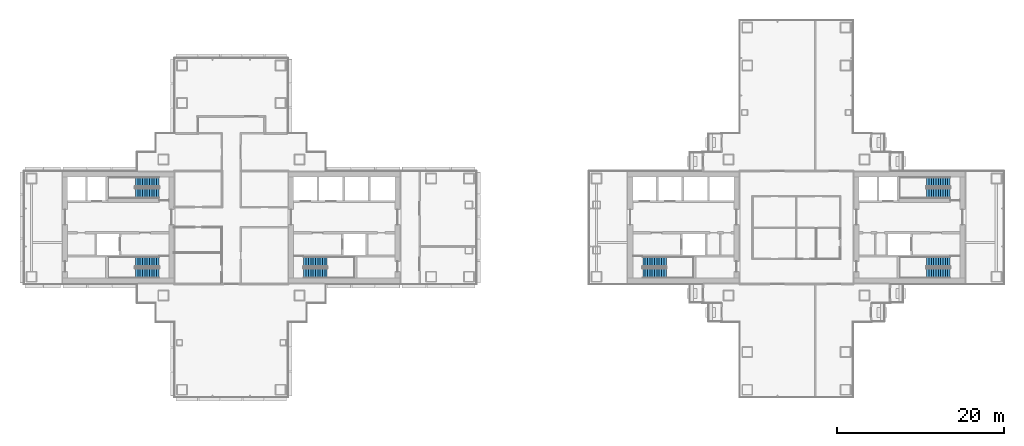
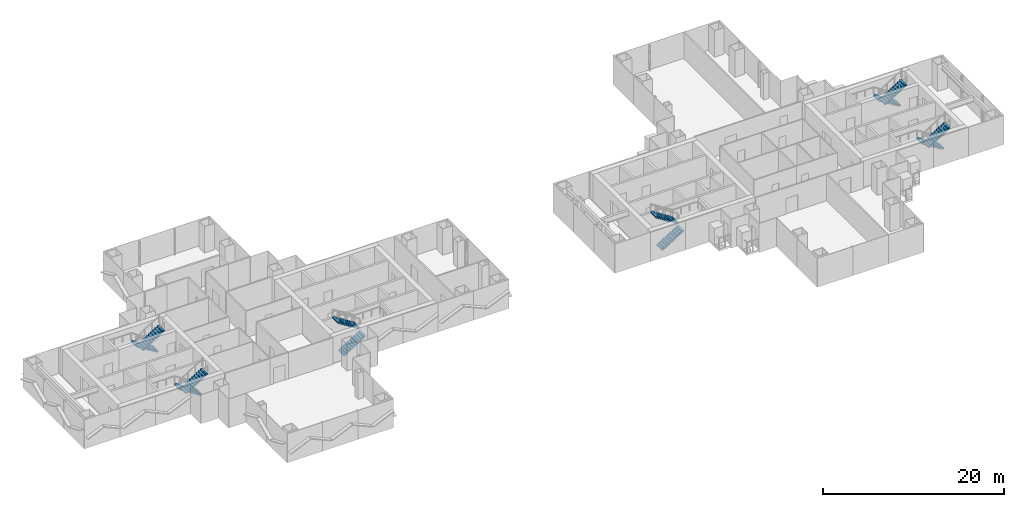
# One storey, part 15 of 19: 12 stair flights, 6 elements without a shape of their own.
"""IFC4 building model written with IfcOpenShell, lengths in metres."""

from ifc_helpers import new_model, si_unit, direction, frame, origin, place, context, subcontext, project, spatial, polyline, outline, extrude, material, type_object, element, aggregate, save


model = new_model("IFC4")

# Units and contexts
model_context = context("Model", 3, precision=1e-05, world=origin(), true_north=direction((0.0, 1.0)))
body_context = subcontext(model_context, "Body", "Model", "MODEL_VIEW")
ifc_project = project(units=[si_unit("LENGTHUNIT", "METRE"), si_unit("AREAUNIT", "SQUARE_METRE"), si_unit("VOLUMEUNIT", "CUBIC_METRE"), si_unit("PLANEANGLEUNIT", "RADIAN"), si_unit("MASSUNIT", "GRAM", prefix="KILO")], contexts=[model_context])

# Site, building, storey
site_placement = place(None, origin())
site = spatial("IfcSite", under=ifc_project, at=site_placement, CompositionType="ELEMENT")
building_placement = place(site_placement, origin())
building = spatial("IfcBuilding", under=site, at=building_placement, Name="Shamsa Quay Exchange Towers", CompositionType="ELEMENT")
storey_placement = place(building_placement, frame((0.0, 0.0, 93.60009765625)))
storey = spatial("IfcBuildingStorey", under=building, at=storey_placement, Name="L21", CompositionType="ELEMENT", Elevation=93.60009765625)

# Stair, stair flights
ifc_material = material(Name="Concrete C40/50", Category="concrete")
stair_type = type_object("IfcStairType", Name="EXIT STAIR 22 RISERS 177 MM", PredefinedType="HALF_TURN_STAIR", material=ifc_material)
stair_1_placement = place(storey_placement, origin())
stair_1 = element("IfcStair", 1, at=stair_1_placement, inside=storey, type_object=stair_type, Name="L21 Exit stair ST1", PredefinedType="HALF_TURN_STAIR")
stair_flight_type = type_object("IfcStairFlightType", Name="EXIT STAIR FLIGHT 11 RISERS 177 MM", PredefinedType="STRAIGHT", material=ifc_material)
stair_flight_1_placement = place(storey_placement, frame((-25.10009765625, -5.449951171875, 0.0)))
stair_flight_1 = element("IfcStairFlight", 2, at=stair_flight_1_placement, type_object=stair_flight_type, Name="ST1 flight 1", NumberOfRisers=11, NumberOfTreads=10, PredefinedType="STRAIGHT", RiserHeight=0.177272727, TreadLength=0.28, context=body_context, shape_type="SweptSolid", body=[
    extrude(outline(polyline([(0.0, 0.0), (0.0, 0.17724609375), (0.280029296875, 0.17724609375), (0.280029296875, 0.3544921875), (0.56005859375, 0.3544921875), (0.56005859375, 0.53173828125), (0.840087890625, 0.53173828125), (0.840087890625, 0.708984375), (1.1201171875, 0.708984375), (1.1201171875, 0.886474609375), (1.39990234375, 0.886474609375), (1.39990234375, 1.063720703125), (1.679931640625, 1.063720703125), (1.679931640625, 1.240966796875), (1.9599609375, 1.240966796875), (1.9599609375, 1.418212890625), (2.239990234375, 1.418212890625), (2.239990234375, 1.595458984375), (2.52001953125, 1.595458984375), (2.52001953125, 1.772705078125), (2.800048828125, 1.772705078125), (2.800048828125, 1.949951171875), (2.800048828125, 1.607177734375), (0.261474609375, 0.0), (0.0, 0.0)])), frame((0.0, 0.60009765625, 0.0), z_axis=(0.0, -1.0, 0.0), x_axis=(1.0, 0.0, 0.0)), (0.0, 0.0, 1.0), 1.199951171875),
])
stair_flight_2_placement = place(storey_placement, frame((-22.300048828125, -4.10009765625, 1.949951171875), z_axis=(0.0, 0.0, 1.0), x_axis=(-1.0, 0.0, 0.0)))
stair_flight_2 = element("IfcStairFlight", 3, at=stair_flight_2_placement, type_object=stair_flight_type, Name="ST1 flight 2", NumberOfRisers=11, NumberOfTreads=10, PredefinedType="STRAIGHT", RiserHeight=0.177272727, TreadLength=0.28, context=body_context, shape_type="SweptSolid", body=[
    extrude(outline(polyline([(0.0, 0.0), (0.0, 0.17724609375), (0.280029296875, 0.17724609375), (0.280029296875, 0.3544921875), (0.56005859375, 0.3544921875), (0.56005859375, 0.53173828125), (0.840087890625, 0.53173828125), (0.840087890625, 0.708984375), (1.1201171875, 0.708984375), (1.1201171875, 0.886474609375), (1.39990234375, 0.886474609375), (1.39990234375, 1.063720703125), (1.679931640625, 1.063720703125), (1.679931640625, 1.240966796875), (1.9599609375, 1.240966796875), (1.9599609375, 1.418212890625), (2.239990234375, 1.418212890625), (2.239990234375, 1.595458984375), (2.52001953125, 1.595458984375), (2.52001953125, 1.772705078125), (2.800048828125, 1.772705078125), (2.800048828125, 1.949951171875), (2.800048828125, 1.607177734375), (0.261474609375, 0.0), (0.0, 0.0)])), frame((0.0, 0.60009765625, 0.0), z_axis=(0.0, -1.0, 0.0), x_axis=(1.0, 0.0, 0.0)), (0.0, 0.0, 1.0), 1.199951171875),
])
aggregate(stair_1, [stair_flight_1, stair_flight_2])

stair_2_placement = place(storey_placement, origin())
stair_2 = element("IfcStair", 4, at=stair_2_placement, inside=storey, type_object=stair_type, Name="L21 Exit stair ST2", PredefinedType="HALF_TURN_STAIR")
stair_flight_3_placement = place(storey_placement, frame((-42.39990234375, -4.10009765625, 0.0), z_axis=(0.0, 0.0, 1.0), x_axis=(-1.0, 0.0, 0.0)))
stair_flight_3 = element("IfcStairFlight", 5, at=stair_flight_3_placement, type_object=stair_flight_type, Name="ST2 flight 1", NumberOfRisers=11, NumberOfTreads=10, PredefinedType="STRAIGHT", RiserHeight=0.177272727, TreadLength=0.28, context=body_context, shape_type="SweptSolid", body=[
    extrude(outline(polyline([(0.0, 0.0), (0.0, 0.17724609375), (0.280029296875, 0.17724609375), (0.280029296875, 0.3544921875), (0.56005859375, 0.3544921875), (0.56005859375, 0.53173828125), (0.840087890625, 0.53173828125), (0.840087890625, 0.708984375), (1.1201171875, 0.708984375), (1.1201171875, 0.886474609375), (1.39990234375, 0.886474609375), (1.39990234375, 1.063720703125), (1.679931640625, 1.063720703125), (1.679931640625, 1.240966796875), (1.9599609375, 1.240966796875), (1.9599609375, 1.418212890625), (2.239990234375, 1.418212890625), (2.239990234375, 1.595458984375), (2.52001953125, 1.595458984375), (2.52001953125, 1.772705078125), (2.800048828125, 1.772705078125), (2.800048828125, 1.949951171875), (2.800048828125, 1.607177734375), (0.261474609375, 0.0), (0.0, 0.0)])), frame((0.0, 0.60009765625, 0.0), z_axis=(0.0, -1.0, 0.0), x_axis=(1.0, 0.0, 0.0)), (0.0, 0.0, 1.0), 1.199951171875),
])
stair_flight_4_placement = place(storey_placement, frame((-45.199951171875, -5.449951171875, 1.949951171875)))
stair_flight_4 = element("IfcStairFlight", 6, at=stair_flight_4_placement, type_object=stair_flight_type, Name="ST2 flight 2", NumberOfRisers=11, NumberOfTreads=10, PredefinedType="STRAIGHT", RiserHeight=0.177272727, TreadLength=0.28, context=body_context, shape_type="SweptSolid", body=[
    extrude(outline(polyline([(0.0, 0.0), (0.0, 0.17724609375), (0.280029296875, 0.17724609375), (0.280029296875, 0.3544921875), (0.56005859375, 0.3544921875), (0.56005859375, 0.53173828125), (0.840087890625, 0.53173828125), (0.840087890625, 0.708984375), (1.1201171875, 0.708984375), (1.1201171875, 0.886474609375), (1.39990234375, 0.886474609375), (1.39990234375, 1.063720703125), (1.679931640625, 1.063720703125), (1.679931640625, 1.240966796875), (1.9599609375, 1.240966796875), (1.9599609375, 1.418212890625), (2.239990234375, 1.418212890625), (2.239990234375, 1.595458984375), (2.52001953125, 1.595458984375), (2.52001953125, 1.772705078125), (2.800048828125, 1.772705078125), (2.800048828125, 1.949951171875), (2.800048828125, 1.607177734375), (0.261474609375, 0.0), (0.0, 0.0)])), frame((0.0, 0.60009765625, 0.0), z_axis=(0.0, -1.0, 0.0), x_axis=(1.0, 0.0, 0.0)), (0.0, 0.0, 1.0), 1.199951171875),
])
aggregate(stair_2, [stair_flight_3, stair_flight_4])

stair_3_placement = place(storey_placement, origin())
stair_3 = element("IfcStair", 7, at=stair_3_placement, inside=storey, type_object=stair_type, Name="L21 Exit stair ST3", PredefinedType="HALF_TURN_STAIR")
stair_flight_5_placement = place(storey_placement, frame((-42.39990234375, 5.449951171875, 0.0), z_axis=(0.0, 0.0, 1.0), x_axis=(-1.0, 0.0, 0.0)))
stair_flight_5 = element("IfcStairFlight", 8, at=stair_flight_5_placement, type_object=stair_flight_type, Name="ST3 flight 1", NumberOfRisers=11, NumberOfTreads=10, PredefinedType="STRAIGHT", RiserHeight=0.177272727, TreadLength=0.28, context=body_context, shape_type="SweptSolid", body=[
    extrude(outline(polyline([(0.0, 0.0), (0.0, 0.17724609375), (0.280029296875, 0.17724609375), (0.280029296875, 0.3544921875), (0.56005859375, 0.3544921875), (0.56005859375, 0.53173828125), (0.840087890625, 0.53173828125), (0.840087890625, 0.708984375), (1.1201171875, 0.708984375), (1.1201171875, 0.886474609375), (1.39990234375, 0.886474609375), (1.39990234375, 1.063720703125), (1.679931640625, 1.063720703125), (1.679931640625, 1.240966796875), (1.9599609375, 1.240966796875), (1.9599609375, 1.418212890625), (2.239990234375, 1.418212890625), (2.239990234375, 1.595458984375), (2.52001953125, 1.595458984375), (2.52001953125, 1.772705078125), (2.800048828125, 1.772705078125), (2.800048828125, 1.949951171875), (2.800048828125, 1.607177734375), (0.261474609375, 0.0), (0.0, 0.0)])), frame((0.0, 0.60009765625, 0.0), z_axis=(0.0, -1.0, 0.0), x_axis=(1.0, 0.0, 0.0)), (0.0, 0.0, 1.0), 1.199951171875),
])
stair_flight_6_placement = place(storey_placement, frame((-45.199951171875, 4.10009765625, 1.949951171875)))
stair_flight_6 = element("IfcStairFlight", 9, at=stair_flight_6_placement, type_object=stair_flight_type, Name="ST3 flight 2", NumberOfRisers=11, NumberOfTreads=10, PredefinedType="STRAIGHT", RiserHeight=0.177272727, TreadLength=0.28, context=body_context, shape_type="SweptSolid", body=[
    extrude(outline(polyline([(0.0, 0.0), (0.0, 0.17724609375), (0.280029296875, 0.17724609375), (0.280029296875, 0.3544921875), (0.56005859375, 0.3544921875), (0.56005859375, 0.53173828125), (0.840087890625, 0.53173828125), (0.840087890625, 0.708984375), (1.1201171875, 0.708984375), (1.1201171875, 0.886474609375), (1.39990234375, 0.886474609375), (1.39990234375, 1.063720703125), (1.679931640625, 1.063720703125), (1.679931640625, 1.240966796875), (1.9599609375, 1.240966796875), (1.9599609375, 1.418212890625), (2.239990234375, 1.418212890625), (2.239990234375, 1.595458984375), (2.52001953125, 1.595458984375), (2.52001953125, 1.772705078125), (2.800048828125, 1.772705078125), (2.800048828125, 1.949951171875), (2.800048828125, 1.607177734375), (0.261474609375, 0.0), (0.0, 0.0)])), frame((0.0, 0.60009765625, 0.0), z_axis=(0.0, -1.0, 0.0), x_axis=(1.0, 0.0, 0.0)), (0.0, 0.0, 1.0), 1.199951171875),
])
aggregate(stair_3, [stair_flight_5, stair_flight_6])

stair_4_placement = place(storey_placement, origin())
stair_4 = element("IfcStair", 10, at=stair_4_placement, inside=storey, type_object=stair_type, Name="L21 Exit stair ST4", PredefinedType="HALF_TURN_STAIR")
stair_flight_7_placement = place(storey_placement, frame((15.39990234375, -5.449951171875, 0.0)))
stair_flight_7 = element("IfcStairFlight", 11, at=stair_flight_7_placement, type_object=stair_flight_type, Name="ST4 flight 1", NumberOfRisers=11, NumberOfTreads=10, PredefinedType="STRAIGHT", RiserHeight=0.177272727, TreadLength=0.28, context=body_context, shape_type="SweptSolid", body=[
    extrude(outline(polyline([(0.0, 0.0), (0.0, 0.17724609375), (0.280029296875, 0.17724609375), (0.280029296875, 0.3544921875), (0.56005859375, 0.3544921875), (0.56005859375, 0.53173828125), (0.840087890625, 0.53173828125), (0.840087890625, 0.708984375), (1.1201171875, 0.708984375), (1.1201171875, 0.886474609375), (1.39990234375, 0.886474609375), (1.39990234375, 1.063720703125), (1.679931640625, 1.063720703125), (1.679931640625, 1.240966796875), (1.9599609375, 1.240966796875), (1.9599609375, 1.418212890625), (2.239990234375, 1.418212890625), (2.239990234375, 1.595458984375), (2.52001953125, 1.595458984375), (2.52001953125, 1.772705078125), (2.800048828125, 1.772705078125), (2.800048828125, 1.949951171875), (2.800048828125, 1.607177734375), (0.261474609375, 0.0), (0.0, 0.0)])), frame((0.0, 0.60009765625, 0.0), z_axis=(0.0, -1.0, 0.0), x_axis=(1.0, 0.0, 0.0)), (0.0, 0.0, 1.0), 1.199951171875),
])
stair_flight_8_placement = place(storey_placement, frame((18.199951171875, -4.10009765625, 1.949951171875), z_axis=(0.0, 0.0, 1.0), x_axis=(-1.0, 0.0, 0.0)))
stair_flight_8 = element("IfcStairFlight", 12, at=stair_flight_8_placement, type_object=stair_flight_type, Name="ST4 flight 2", NumberOfRisers=11, NumberOfTreads=10, PredefinedType="STRAIGHT", RiserHeight=0.177272727, TreadLength=0.28, context=body_context, shape_type="SweptSolid", body=[
    extrude(outline(polyline([(0.0, 0.0), (0.0, 0.17724609375), (0.280029296875, 0.17724609375), (0.280029296875, 0.3544921875), (0.56005859375, 0.3544921875), (0.56005859375, 0.53173828125), (0.840087890625, 0.53173828125), (0.840087890625, 0.708984375), (1.1201171875, 0.708984375), (1.1201171875, 0.886474609375), (1.39990234375, 0.886474609375), (1.39990234375, 1.063720703125), (1.679931640625, 1.063720703125), (1.679931640625, 1.240966796875), (1.9599609375, 1.240966796875), (1.9599609375, 1.418212890625), (2.239990234375, 1.418212890625), (2.239990234375, 1.595458984375), (2.52001953125, 1.595458984375), (2.52001953125, 1.772705078125), (2.800048828125, 1.772705078125), (2.800048828125, 1.949951171875), (2.800048828125, 1.607177734375), (0.261474609375, 0.0), (0.0, 0.0)])), frame((0.0, 0.60009765625, 0.0), z_axis=(0.0, -1.0, 0.0), x_axis=(1.0, 0.0, 0.0)), (0.0, 0.0, 1.0), 1.199951171875),
])
aggregate(stair_4, [stair_flight_7, stair_flight_8])

stair_5_placement = place(storey_placement, origin())
stair_5 = element("IfcStair", 13, at=stair_5_placement, inside=storey, type_object=stair_type, Name="L21 Exit stair ST5", PredefinedType="HALF_TURN_STAIR")
stair_flight_9_placement = place(storey_placement, frame((52.10009765625, -4.10009765625, 0.0), z_axis=(0.0, 0.0, 1.0), x_axis=(-1.0, 0.0, 0.0)))
stair_flight_9 = element("IfcStairFlight", 14, at=stair_flight_9_placement, type_object=stair_flight_type, Name="ST5 flight 1", NumberOfRisers=11, NumberOfTreads=10, PredefinedType="STRAIGHT", RiserHeight=0.177272727, TreadLength=0.28, context=body_context, shape_type="SweptSolid", body=[
    extrude(outline(polyline([(0.0, 0.0), (0.0, 0.17724609375), (0.280029296875, 0.17724609375), (0.280029296875, 0.3544921875), (0.56005859375, 0.3544921875), (0.56005859375, 0.53173828125), (0.840087890625, 0.53173828125), (0.840087890625, 0.708984375), (1.1201171875, 0.708984375), (1.1201171875, 0.886474609375), (1.39990234375, 0.886474609375), (1.39990234375, 1.063720703125), (1.679931640625, 1.063720703125), (1.679931640625, 1.240966796875), (1.9599609375, 1.240966796875), (1.9599609375, 1.418212890625), (2.239990234375, 1.418212890625), (2.239990234375, 1.595458984375), (2.52001953125, 1.595458984375), (2.52001953125, 1.772705078125), (2.800048828125, 1.772705078125), (2.800048828125, 1.949951171875), (2.800048828125, 1.607177734375), (0.261474609375, 0.0), (0.0, 0.0)])), frame((0.0, 0.60009765625, 0.0), z_axis=(0.0, -1.0, 0.0), x_axis=(1.0, 0.0, 0.0)), (0.0, 0.0, 1.0), 1.199951171875),
])
stair_flight_10_placement = place(storey_placement, frame((49.300048828125, -5.449951171875, 1.949951171875)))
stair_flight_10 = element("IfcStairFlight", 15, at=stair_flight_10_placement, type_object=stair_flight_type, Name="ST5 flight 2", NumberOfRisers=11, NumberOfTreads=10, PredefinedType="STRAIGHT", RiserHeight=0.177272727, TreadLength=0.28, context=body_context, shape_type="SweptSolid", body=[
    extrude(outline(polyline([(0.0, 0.0), (0.0, 0.17724609375), (0.280029296875, 0.17724609375), (0.280029296875, 0.3544921875), (0.56005859375, 0.3544921875), (0.56005859375, 0.53173828125), (0.840087890625, 0.53173828125), (0.840087890625, 0.708984375), (1.1201171875, 0.708984375), (1.1201171875, 0.886474609375), (1.39990234375, 0.886474609375), (1.39990234375, 1.063720703125), (1.679931640625, 1.063720703125), (1.679931640625, 1.240966796875), (1.9599609375, 1.240966796875), (1.9599609375, 1.418212890625), (2.239990234375, 1.418212890625), (2.239990234375, 1.595458984375), (2.52001953125, 1.595458984375), (2.52001953125, 1.772705078125), (2.800048828125, 1.772705078125), (2.800048828125, 1.949951171875), (2.800048828125, 1.607177734375), (0.261474609375, 0.0), (0.0, 0.0)])), frame((0.0, 0.60009765625, 0.0), z_axis=(0.0, -1.0, 0.0), x_axis=(1.0, 0.0, 0.0)), (0.0, 0.0, 1.0), 1.199951171875),
])
aggregate(stair_5, [stair_flight_9, stair_flight_10])

stair_6_placement = place(storey_placement, origin())
stair_6 = element("IfcStair", 16, at=stair_6_placement, inside=storey, type_object=stair_type, Name="L21 Exit stair ST6", PredefinedType="HALF_TURN_STAIR")
stair_flight_11_placement = place(storey_placement, frame((52.10009765625, 5.449951171875, 0.0), z_axis=(0.0, 0.0, 1.0), x_axis=(-1.0, 0.0, 0.0)))
stair_flight_11 = element("IfcStairFlight", 17, at=stair_flight_11_placement, type_object=stair_flight_type, Name="ST6 flight 1", NumberOfRisers=11, NumberOfTreads=10, PredefinedType="STRAIGHT", RiserHeight=0.177272727, TreadLength=0.28, context=body_context, shape_type="SweptSolid", body=[
    extrude(outline(polyline([(0.0, 0.0), (0.0, 0.17724609375), (0.280029296875, 0.17724609375), (0.280029296875, 0.3544921875), (0.56005859375, 0.3544921875), (0.56005859375, 0.53173828125), (0.840087890625, 0.53173828125), (0.840087890625, 0.708984375), (1.1201171875, 0.708984375), (1.1201171875, 0.886474609375), (1.39990234375, 0.886474609375), (1.39990234375, 1.063720703125), (1.679931640625, 1.063720703125), (1.679931640625, 1.240966796875), (1.9599609375, 1.240966796875), (1.9599609375, 1.418212890625), (2.239990234375, 1.418212890625), (2.239990234375, 1.595458984375), (2.52001953125, 1.595458984375), (2.52001953125, 1.772705078125), (2.800048828125, 1.772705078125), (2.800048828125, 1.949951171875), (2.800048828125, 1.607177734375), (0.261474609375, 0.0), (0.0, 0.0)])), frame((0.0, 0.60009765625, 0.0), z_axis=(0.0, -1.0, 0.0), x_axis=(1.0, 0.0, 0.0)), (0.0, 0.0, 1.0), 1.199951171875),
])
stair_flight_12_placement = place(storey_placement, frame((49.300048828125, 4.10009765625, 1.949951171875)))
stair_flight_12 = element("IfcStairFlight", 18, at=stair_flight_12_placement, type_object=stair_flight_type, Name="ST6 flight 2", NumberOfRisers=11, NumberOfTreads=10, PredefinedType="STRAIGHT", RiserHeight=0.177272727, TreadLength=0.28, context=body_context, shape_type="SweptSolid", body=[
    extrude(outline(polyline([(0.0, 0.0), (0.0, 0.17724609375), (0.280029296875, 0.17724609375), (0.280029296875, 0.3544921875), (0.56005859375, 0.3544921875), (0.56005859375, 0.53173828125), (0.840087890625, 0.53173828125), (0.840087890625, 0.708984375), (1.1201171875, 0.708984375), (1.1201171875, 0.886474609375), (1.39990234375, 0.886474609375), (1.39990234375, 1.063720703125), (1.679931640625, 1.063720703125), (1.679931640625, 1.240966796875), (1.9599609375, 1.240966796875), (1.9599609375, 1.418212890625), (2.239990234375, 1.418212890625), (2.239990234375, 1.595458984375), (2.52001953125, 1.595458984375), (2.52001953125, 1.772705078125), (2.800048828125, 1.772705078125), (2.800048828125, 1.949951171875), (2.800048828125, 1.607177734375), (0.261474609375, 0.0), (0.0, 0.0)])), frame((0.0, 0.60009765625, 0.0), z_axis=(0.0, -1.0, 0.0), x_axis=(1.0, 0.0, 0.0)), (0.0, 0.0, 1.0), 1.199951171875),
])
aggregate(stair_6, [stair_flight_11, stair_flight_12])

save(model, "model.ifc")
